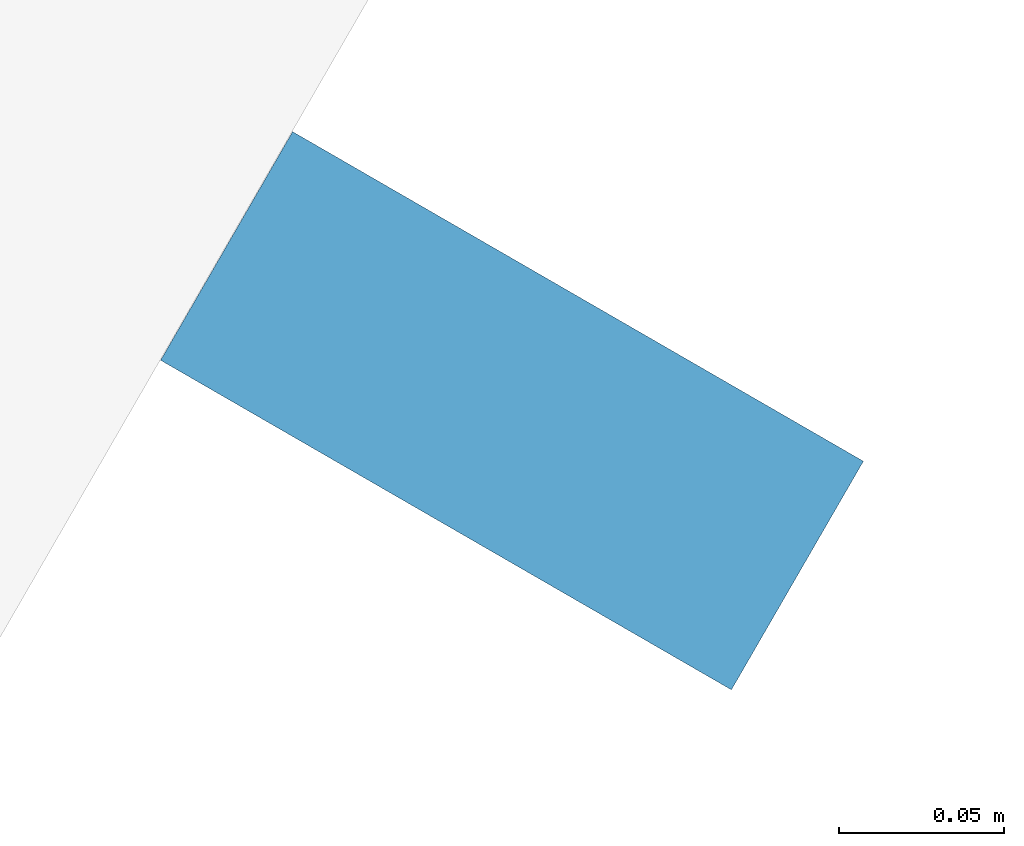
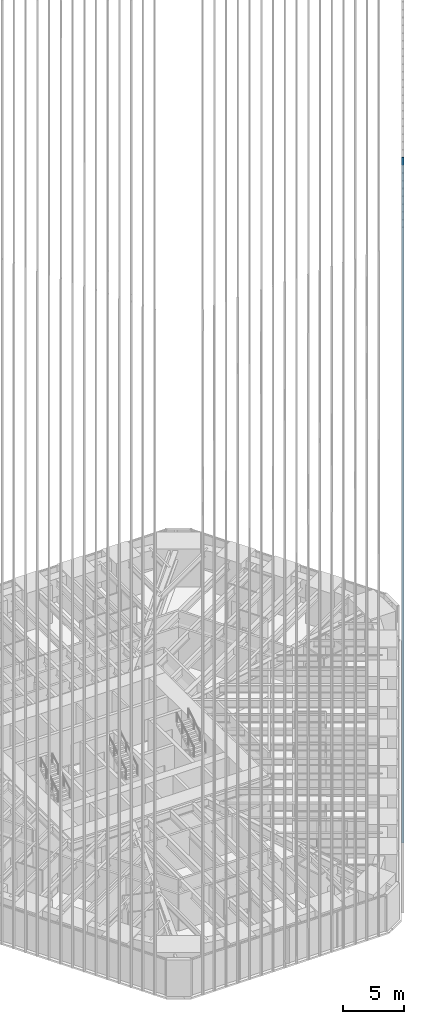
# One storey, part 94 of 256: 1 member, 1 element without a shape of its own.
"""IFC4 building model written with IfcOpenShell, lengths in metres."""

import ifcopenshell
import ifcopenshell.guid

model = None  # the IFC model being written
_history = None  # IfcOwnerHistory: only IFC2X3 demands one
_inside = {}  # id of a spatial element -> (the spatial element, [elements in it])
_under = {}  # id of a project, library or spatial element -> (it, [spatial elements below it])
_declared = {}  # id of a project -> (the project, [libraries it declares])
_typed = {}  # id of a type object -> (the type object, [elements of that type])
_made_of = {}  # id of a material, layer set ... -> (it, [elements and type objects made of it])


def new_model(schema):
    """Start an empty IFC model of exactly this schema.

    Asked for "IFC4X3", IfcOpenShell would pick the latest addendum, in which some entities
    have other attributes; the version numbers below select the first issue.
    IFC2X3 requires an IfcOwnerHistory on every rooted entity: one is made here for all.
    """
    global model, _history
    if schema == "IFC4X3":
        model = ifcopenshell.file(schema_version=(4, 3, 0, 0))
    else:
        model = ifcopenshell.file(schema=schema)
    _inside.clear()
    _under.clear()
    _declared.clear()
    _typed.clear()
    _made_of.clear()
    _history = None
    if model.schema == "IFC2X3":
        org = make("IfcOrganization", Name="unknown")
        user = make(
            "IfcPersonAndOrganization",
            ThePerson=make("IfcPerson", FamilyName="unknown"),
            TheOrganization=org,
        )
        app = make(
            "IfcApplication",
            ApplicationDeveloper=org,
            Version="unknown",
            ApplicationFullName="unknown",
            ApplicationIdentifier="unknown",
        )
        _history = make(
            "IfcOwnerHistory",
            OwningUser=user,
            OwningApplication=app,
            ChangeAction="ADDED",
            CreationDate=0,
        )
    return model


def make(cls, **values):
    """One entity of the class cls with the attributes given. An attribute that is None is left unset."""
    return model.create_entity(
        cls, **{name: value for name, value in values.items() if value is not None}
    )


def rooted(cls, **values):
    """An entity with a GlobalId (a new one), such as an element, a storey or a relation."""
    return make(cls, GlobalId=ifcopenshell.guid.new(), OwnerHistory=_history, **values)


def si_unit(unit_type, name, prefix=None):
    """IfcSIUnit, for example si_unit("LENGTHUNIT", "METRE", prefix="MILLI")."""
    return make("IfcSIUnit", UnitType=unit_type, Prefix=prefix, Name=name)


def assignment(units):
    """IfcUnitAssignment: the units of a project."""
    return None if units is None else make("IfcUnitAssignment", Units=units)


def point(xyz):
    """IfcCartesianPoint."""
    return None if xyz is None else make("IfcCartesianPoint", Coordinates=xyz)


def direction(xyz):
    """IfcDirection."""
    return None if xyz is None else make("IfcDirection", DirectionRatios=xyz)


def frame(location, z_axis=None, x_axis=None):
    """IfcAxis2Placement3D, a coordinate frame: its origin and axes. An axis left out is left unset."""
    return make(
        "IfcAxis2Placement3D",
        Location=point(location),
        Axis=direction(z_axis),
        RefDirection=direction(x_axis),
    )


def frame_2d(location, x_axis=None):
    """IfcAxis2Placement2D, a coordinate frame in the plane: its origin and x axis."""
    return make(
        "IfcAxis2Placement2D", Location=point(location), RefDirection=direction(x_axis)
    )


def origin():
    """The frame at (0, 0, 0) with its axes left unset."""
    return frame((0.0, 0.0, 0.0))


def origin_2d():
    """The frame at (0, 0) in the plane with its x axis left unset."""
    return frame_2d((0.0, 0.0))


def place(relative_to, where):
    """IfcLocalPlacement: puts the frame where relative to a parent placement (None: the world)."""
    return make(
        "IfcLocalPlacement", PlacementRelTo=relative_to, RelativePlacement=where
    )


def context(
    kind, dimensions, precision=None, world=None, true_north=None, identifier=None
):
    """IfcGeometricRepresentationContext, for example the 3D "Model" context."""
    return make(
        "IfcGeometricRepresentationContext",
        ContextIdentifier=identifier,
        ContextType=kind,
        CoordinateSpaceDimension=dimensions,
        Precision=precision,
        WorldCoordinateSystem=world,
        TrueNorth=true_north,
    )


def subcontext(parent, identifier, kind, view, scale=None):
    """IfcGeometricRepresentationSubContext, for example "Body" below "Model"."""
    return make(
        "IfcGeometricRepresentationSubContext",
        ContextIdentifier=identifier,
        ContextType=kind,
        ParentContext=parent,
        TargetScale=scale,
        TargetView=view,
    )


def project(units=None, contexts=None):
    """IfcProject with its units and contexts."""
    return rooted(
        "IfcProject",
        Name="project",
        RepresentationContexts=contexts,
        UnitsInContext=assignment(units),
    )


def spatial(cls, under=None, at=None, **own):
    """A site, building, storey or space (cls), placed at a placement, below another one or the project."""
    s = rooted(cls, ObjectPlacement=at, **own)
    if under is not None:
        _under.setdefault(under.id(), (under, []))[1].append(s)
    return s


def profile(cls, at=None, kind="AREA", **sizes):
    """A parametric profile (cls). Its sizes go by their IFC names, for example OverallWidth=200.0."""
    return make(cls, ProfileType=kind, Position=at, **sizes)


def rectangle(**sizes):
    """IfcRectangleProfileDef."""
    return profile("IfcRectangleProfileDef", **sizes)


def extrude(swept, where, along, depth):
    """IfcExtrudedAreaSolid: the profile swept, set in the frame where, extruded along a direction by depth."""
    return make(
        "IfcExtrudedAreaSolid",
        SweptArea=swept,
        Position=where,
        ExtrudedDirection=direction(along),
        Depth=depth,
    )


def shape(context_of_items, identifier, shape_type, items):
    """IfcShapeRepresentation: the items that make up one representation, for example the "Body"."""
    return make(
        "IfcShapeRepresentation",
        ContextOfItems=context_of_items,
        RepresentationIdentifier=identifier,
        RepresentationType=shape_type,
        Items=items,
    )


def material(Name=None, Category=None):
    """IfcMaterial."""
    return make("IfcMaterial", Name=Name, Category=Category)


def material_profile(
    of_material, cross_section, Name=None, Category=None, Priority=None
):
    """IfcMaterialProfile: a cross section and its material."""
    return make(
        "IfcMaterialProfile",
        Name=Name,
        Material=of_material,
        Profile=cross_section,
        Priority=Priority,
        Category=Category,
    )


def profile_set(profiles, Name=None, composite=None):
    """IfcMaterialProfileSet."""
    return make(
        "IfcMaterialProfileSet",
        Name=Name,
        MaterialProfiles=profiles,
        CompositeProfile=composite,
    )


def made_of(thing, what):
    """Note that an element or type object is made of a material, layer set ...; save() writes the relation."""
    if what is not None:
        _made_of.setdefault(what.id(), (what, []))[1].append(thing)
    return thing


def type_object(cls, material=None, **own):
    """A type object (cls), such as IfcWallType, which elements share."""
    return made_of(rooted(cls, **own), material)


def element(
    cls,
    number,
    at=None,
    inside=None,
    cuts=None,
    type_object=None,
    material=None,
    context=None,
    identifier="Body",
    shape_type=None,
    held_by="IfcProductDefinitionShape",
    body=None,
    shapes=None,
    **own,
):
    """One element of the class cls, such as IfcWall. Its Tag is "e" and its number.

    at: its placement. inside: the storey or other place that contains it. cuts: it is an
    opening in that element (IfcRelVoidsElement). A single representation is given by context,
    identifier, shape_type and body (its items); several are given by shapes. held_by: the class
    of the entity that holds the representations. save() writes the other relations.
    """
    e = rooted(cls, Tag="e%d" % number, ObjectPlacement=at, **own)
    if body is not None:
        shapes = [shape(context, identifier, shape_type, body)]
    if shapes is not None:
        e.Representation = make(held_by, Representations=shapes)
    if inside is not None:
        _inside.setdefault(inside.id(), (inside, []))[1].append(e)
    if cuts is not None:
        rooted(
            "IfcRelVoidsElement", RelatingBuildingElement=cuts, RelatedOpeningElement=e
        )
    if type_object is not None:
        _typed.setdefault(type_object.id(), (type_object, []))[1].append(e)
    return made_of(e, material)


def aggregate(whole, parts):
    """IfcRelAggregates: a whole, such as a stair, and the parts it consists of."""
    return rooted("IfcRelAggregates", RelatingObject=whole, RelatedObjects=parts)


def save(model, path):
    """Write the relations noted so far, then the file.

    IfcRelAggregates (storeys below a building ...), IfcRelContainedInSpatialStructure (elements
    in a storey), IfcRelDefinesByType, IfcRelAssociatesMaterial and IfcRelDeclares: one each for
    every whole, place, type object, material and project.
    """
    for whole, parts in _under.values():
        aggregate(whole, parts)
    for where, things in _inside.values():
        rooted(
            "IfcRelContainedInSpatialStructure",
            RelatedElements=things,
            RelatingStructure=where,
        )
    for kind, things in _typed.values():
        rooted("IfcRelDefinesByType", RelatedObjects=things, RelatingType=kind)
    for what, things in _made_of.values():
        rooted("IfcRelAssociatesMaterial", RelatedObjects=things, RelatingMaterial=what)
    for by, libraries in _declared.values():
        rooted("IfcRelDeclares", RelatingContext=by, RelatedDefinitions=libraries)
    model.write(path)


model = new_model("IFC4")

# Units and contexts
model_context = context("Model", 3, precision=1e-05, world=origin(), true_north=direction((0.0, 1.0)))
body_context = subcontext(model_context, "Body", "Model", "MODEL_VIEW")
ifc_project = project(units=[si_unit("LENGTHUNIT", "METRE"), si_unit("AREAUNIT", "SQUARE_METRE"), si_unit("VOLUMEUNIT", "CUBIC_METRE"), si_unit("PLANEANGLEUNIT", "RADIAN"), si_unit("MASSUNIT", "GRAM", prefix="KILO")], contexts=[model_context])

# Site, building, storey
site_placement = place(None, origin())
site = spatial("IfcSite", under=ifc_project, at=site_placement, CompositionType="ELEMENT")
building_placement = place(site_placement, origin())
building = spatial("IfcBuilding", under=site, at=building_placement, Name="Sandreach Pilgrim Tower", CompositionType="ELEMENT")
storey_placement = place(building_placement, frame((0.0, 0.0, 23.0)))
storey = spatial("IfcBuildingStorey", under=building, at=storey_placement, Name="L04", CompositionType="ELEMENT", Elevation=23.0)

# Curtain wall, member
ifc_material_1 = material(Name="Aluminium framed curtain wall", Category="aluminium")
curtain_wall_type = type_object("IfcCurtainWallType", Name="Hostel tower curtain wall", PredefinedType="NOTDEFINED", material=ifc_material_1)
curtain_wall_placement = place(storey_placement, origin())
curtain_wall = element("IfcCurtainWall", 1, at=curtain_wall_placement, inside=storey, type_object=curtain_wall_type, Name="CW-1 L04 SE", PredefinedType="NOTDEFINED")
ifc_material_2 = material(Name="Extruded terracotta on aluminium core", Category="masonry")
ifc_material_profile = material_profile(ifc_material_2, rectangle(XDim=0.080078125, YDim=0.199951171875, at=origin_2d()), Name="TBE 80X200")
ifc_profile_set = profile_set([ifc_material_profile], Name="Extruded terracotta on aluminium core")
member_type = type_object("IfcMemberType", Name="Terracotta baguette east", PredefinedType="USERDEFINED", material=ifc_profile_set)
member_placement = place(storey_placement, frame((16.663818359375, -19.8349609375, 0.0), z_axis=(0.0, 0.0, 1.0), x_axis=(-0.5, -0.866025403784, 0.0)))
member = element("IfcMember", 2, at=member_placement, type_object=member_type, Name="Baguette Z1 SE26", ObjectType="BAGUETTE", PredefinedType="USERDEFINED", context=body_context, shape_type="SweptSolid", body=[
    extrude(rectangle(XDim=0.080078125, YDim=0.199951171875, at=origin_2d()), origin(), (0.0, 0.0, 1.0), 68.239990234375),
])
aggregate(curtain_wall, [member])

save(model, "model.ifc")
